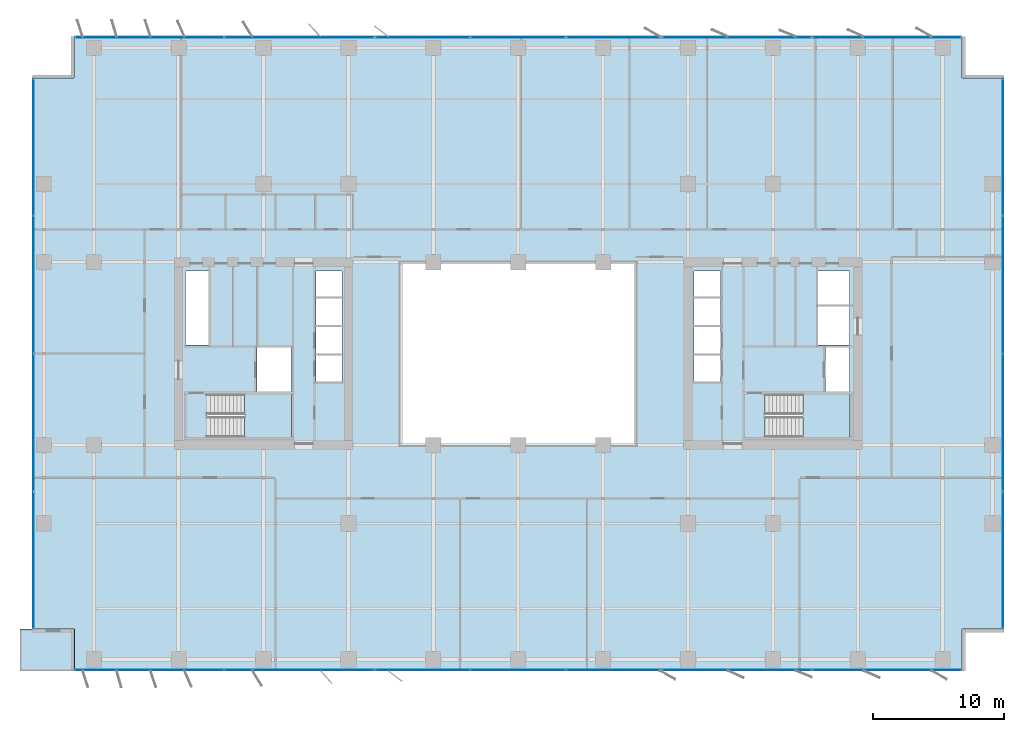
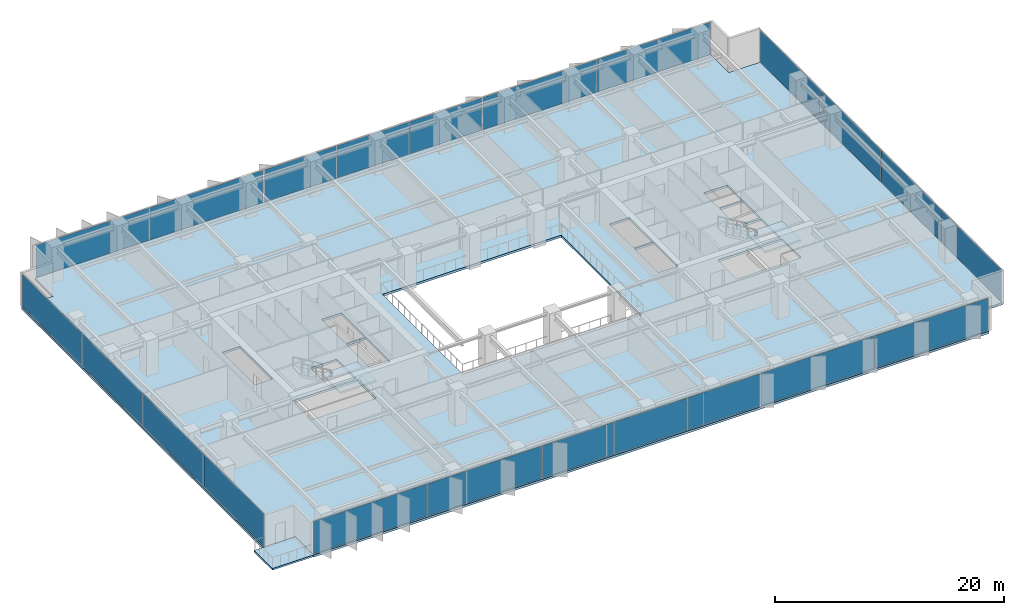
# One storey, part 12 of 20: 22 plates, 4 slabs, 10 elements without a shape of their own.
"""IFC4 building model written with IfcOpenShell, lengths in metres."""

from ifc_helpers import new_model, si_unit, direction, frame, origin, origin_2d, place, context, subcontext, project, spatial, polyline, rectangle, outline, extrude, material, layer, layer_set, type_object, element, aggregate, save


model = new_model("IFC4")

# Units and contexts
model_context = context("Model", 3, precision=1e-05, world=origin(), true_north=direction((0.0, 1.0)))
body_context = subcontext(model_context, "Body", "Model", "MODEL_VIEW")
ifc_project = project(units=[si_unit("LENGTHUNIT", "METRE"), si_unit("AREAUNIT", "SQUARE_METRE"), si_unit("VOLUMEUNIT", "CUBIC_METRE"), si_unit("PLANEANGLEUNIT", "RADIAN"), si_unit("MASSUNIT", "GRAM", prefix="KILO")], contexts=[model_context])

# Site, building, storey
site_placement = place(None, origin())
site = spatial("IfcSite", under=ifc_project, at=site_placement, CompositionType="ELEMENT")
building_placement = place(site_placement, origin())
building = spatial("IfcBuilding", under=site, at=building_placement, Name="Putna Gate Headquarters", CompositionType="ELEMENT")
storey_placement = place(building_placement, frame((0.0, 0.0, 105.0)))
storey = spatial("IfcBuildingStorey", under=building, at=storey_placement, Name="L25", CompositionType="ELEMENT", Elevation=105.0)

# Stair, slab
ifc_material_1 = material(Name="Concrete C40/50", Category="concrete")
stair_type_1 = type_object("IfcStairType", Name="STAIR-ST1", PredefinedType="HALF_TURN_STAIR", material=ifc_material_1)
stair_1_placement = place(storey_placement, origin())
stair_1 = element("IfcStair", 1, at=stair_1_placement, inside=storey, type_object=stair_type_1, Name="L25 West Core Exit Stair ST1", PredefinedType="HALF_TURN_STAIR")
ifc_layer_1 = layer(ifc_material_1, 0.199951171875)
ifc_layer_set_1 = layer_set([ifc_layer_1], Name="Concrete C40/50")
slab_type_1 = type_object("IfcSlabType", Name="LANDING-ST1", PredefinedType="LANDING", material=ifc_layer_set_1)
slab_1_placement = place(storey_placement, frame((0.0, 0.0, 1.699951171875)))
slab_1 = element("IfcSlab", 2, at=slab_1_placement, type_object=slab_type_1, Name="ST1 landing 1", PredefinedType="LANDING", context=body_context, shape_type="SweptSolid", body=[
    extrude(outline(polyline([(18.050048828125, 19.60009765625), (21.64990234375, 19.60009765625), (21.64990234375, 22.89990234375), (18.050048828125, 22.89990234375), (18.050048828125, 19.60009765625)])), origin(), (0.0, 0.0, 1.0), 0.199951171875),
])
aggregate(stair_1, [slab_1])

stair_type_2 = type_object("IfcStairType", Name="STAIR-ST2", PredefinedType="HALF_TURN_STAIR", material=ifc_material_1)
stair_2_placement = place(storey_placement, origin())
stair_2 = element("IfcStair", 3, at=stair_2_placement, inside=storey, type_object=stair_type_2, Name="L25 East Core Exit Stair ST2", PredefinedType="HALF_TURN_STAIR")
ifc_layer_2 = layer(ifc_material_1, 0.199951171875)
ifc_layer_set_2 = layer_set([ifc_layer_2], Name="Concrete C40/50")
slab_type_2 = type_object("IfcSlabType", Name="LANDING-ST2", PredefinedType="LANDING", material=ifc_layer_set_2)
slab_2_placement = place(storey_placement, frame((0.0, 0.0, 1.699951171875)))
slab_2 = element("IfcSlab", 4, at=slab_2_placement, type_object=slab_type_2, Name="ST2 landing 1", PredefinedType="LANDING", context=body_context, shape_type="SweptSolid", body=[
    extrude(outline(polyline([(60.800048828125, 19.60009765625), (64.39990234375, 19.60009765625), (64.39990234375, 22.89990234375), (60.800048828125, 22.89990234375), (60.800048828125, 19.60009765625)])), origin(), (0.0, 0.0, 1.0), 0.199951171875),
])
aggregate(stair_2, [slab_2])

# Curtain wall, plates
ifc_material_2 = material(Name="Anodised bronze aluminium curtain wall", Category="aluminium")
ifc_layer_3 = layer(ifc_material_2, 0.159912109375)
ifc_layer_set_3 = layer_set([ifc_layer_3], Name="Anodised bronze aluminium curtain wall")
curtain_wall_type_1 = type_object("IfcCurtainWallType", Name="CW-SYS-Z2", PredefinedType="USERDEFINED", material=ifc_layer_set_3)
curtain_wall_1_placement = place(storey_placement, origin())
curtain_wall_1 = element("IfcCurtainWall", 5, at=curtain_wall_1_placement, inside=storey, type_object=curtain_wall_type_1, Name="L25 South West Curtain Wall", ObjectType="STICK CURTAIN WALL", PredefinedType="USERDEFINED")
ifc_material_3 = material(Name="Solar-control triple low-E glass", Category="glass")
ifc_layer_4 = layer(ifc_material_3, 0.030029296875)
ifc_layer_set_4 = layer_set([ifc_layer_4], Name="Solar-control triple low-E glass")
plate_type_1 = type_object("IfcPlateType", Name="PAN-CWP-2", PredefinedType="CURTAIN_PANEL", material=ifc_layer_set_4)
plate_1_placement = place(storey_placement, frame((10.766357421875, 1.780029296875, 0.06494140625), z_axis=(0.0, 0.0, 1.0), x_axis=(1.0, 0.0, 0.0)))
plate_1 = element("IfcPlate", 6, at=plate_1_placement, type_object=plate_type_1, Name="CWS-2 panel 1.1", PredefinedType="CURTAIN_PANEL", context=body_context, shape_type="SweptSolid", body=[
    extrude(rectangle(XDim=11.402587890625, YDim=0.030029296875, at=origin_2d()), origin(), (0.0, 0.0, 1.0), 3.43505859375),
])
plate_2_placement = place(storey_placement, frame((22.233642578125, 1.780029296875, 0.06494140625), z_axis=(0.0, 0.0, 1.0), x_axis=(1.0, 0.0, 0.0)))
plate_2 = element("IfcPlate", 7, at=plate_2_placement, type_object=plate_type_1, Name="CWS-2 panel 2.1", PredefinedType="CURTAIN_PANEL", context=body_context, shape_type="SweptSolid", body=[
    extrude(rectangle(XDim=11.402587890625, YDim=0.030029296875, at=origin_2d()), origin(), (0.0, 0.0, 1.0), 3.43505859375),
])
aggregate(curtain_wall_1, [plate_1, plate_2])

curtain_wall_2_placement = place(storey_placement, origin())
curtain_wall_2 = element("IfcCurtainWall", 8, at=curtain_wall_2_placement, inside=storey, type_object=curtain_wall_type_1, Name="L25 South East Curtain Wall", ObjectType="STICK CURTAIN WALL", PredefinedType="USERDEFINED")
plate_3_placement = place(storey_placement, frame((55.766357421875, 1.780029296875, 0.06494140625), z_axis=(0.0, 0.0, 1.0), x_axis=(1.0, 0.0, 0.0)))
plate_3 = element("IfcPlate", 9, at=plate_3_placement, type_object=plate_type_1, Name="CWS-2 panel 1.1", PredefinedType="CURTAIN_PANEL", context=body_context, shape_type="SweptSolid", body=[
    extrude(rectangle(XDim=11.402587890625, YDim=0.030029296875, at=origin_2d()), origin(), (0.0, 0.0, 1.0), 3.43505859375),
])
plate_4_placement = place(storey_placement, frame((67.233642578125, 1.780029296875, 0.06494140625), z_axis=(0.0, 0.0, 1.0), x_axis=(1.0, 0.0, 0.0)))
plate_4 = element("IfcPlate", 10, at=plate_4_placement, type_object=plate_type_1, Name="CWS-2 panel 2.1", PredefinedType="CURTAIN_PANEL", context=body_context, shape_type="SweptSolid", body=[
    extrude(rectangle(XDim=11.402587890625, YDim=0.030029296875, at=origin_2d()), origin(), (0.0, 0.0, 1.0), 3.43505859375),
])
aggregate(curtain_wall_2, [plate_3, plate_4])

curtain_wall_3_placement = place(storey_placement, origin())
curtain_wall_3 = element("IfcCurtainWall", 11, at=curtain_wall_3_placement, inside=storey, type_object=curtain_wall_type_1, Name="L25 North West Curtain Wall", ObjectType="STICK CURTAIN WALL", PredefinedType="USERDEFINED")
plate_5_placement = place(storey_placement, frame((10.766357421875, 50.219970703125, 0.06494140625), z_axis=(0.0, 0.0, 1.0), x_axis=(1.0, 0.0, 0.0)))
plate_5 = element("IfcPlate", 12, at=plate_5_placement, type_object=plate_type_1, Name="CWS-2 panel 1.1", PredefinedType="CURTAIN_PANEL", context=body_context, shape_type="SweptSolid", body=[
    extrude(rectangle(XDim=11.402587890625, YDim=0.030029296875, at=origin_2d()), origin(), (0.0, 0.0, 1.0), 3.43505859375),
])
plate_6_placement = place(storey_placement, frame((22.233642578125, 50.219970703125, 0.06494140625), z_axis=(0.0, 0.0, 1.0), x_axis=(1.0, 0.0, 0.0)))
plate_6 = element("IfcPlate", 13, at=plate_6_placement, type_object=plate_type_1, Name="CWS-2 panel 2.1", PredefinedType="CURTAIN_PANEL", context=body_context, shape_type="SweptSolid", body=[
    extrude(rectangle(XDim=11.402587890625, YDim=0.030029296875, at=origin_2d()), origin(), (0.0, 0.0, 1.0), 3.43505859375),
])
aggregate(curtain_wall_3, [plate_5, plate_6])

curtain_wall_4_placement = place(storey_placement, origin())
curtain_wall_4 = element("IfcCurtainWall", 14, at=curtain_wall_4_placement, inside=storey, type_object=curtain_wall_type_1, Name="L25 North East Curtain Wall", ObjectType="STICK CURTAIN WALL", PredefinedType="USERDEFINED")
plate_7_placement = place(storey_placement, frame((55.766357421875, 50.219970703125, 0.06494140625), z_axis=(0.0, 0.0, 1.0), x_axis=(1.0, 0.0, 0.0)))
plate_7 = element("IfcPlate", 15, at=plate_7_placement, type_object=plate_type_1, Name="CWS-2 panel 1.1", PredefinedType="CURTAIN_PANEL", context=body_context, shape_type="SweptSolid", body=[
    extrude(rectangle(XDim=11.402587890625, YDim=0.030029296875, at=origin_2d()), origin(), (0.0, 0.0, 1.0), 3.43505859375),
])
plate_8_placement = place(storey_placement, frame((67.233642578125, 50.219970703125, 0.06494140625), z_axis=(0.0, 0.0, 1.0), x_axis=(1.0, 0.0, 0.0)))
plate_8 = element("IfcPlate", 16, at=plate_8_placement, type_object=plate_type_1, Name="CWS-2 panel 2.1", PredefinedType="CURTAIN_PANEL", context=body_context, shape_type="SweptSolid", body=[
    extrude(rectangle(XDim=11.402587890625, YDim=0.030029296875, at=origin_2d()), origin(), (0.0, 0.0, 1.0), 3.43505859375),
])
aggregate(curtain_wall_4, [plate_7, plate_8])

curtain_wall_5_placement = place(storey_placement, origin())
curtain_wall_5 = element("IfcCurtainWall", 17, at=curtain_wall_5_placement, inside=storey, type_object=curtain_wall_type_1, Name="L25 West Curtain Wall", ObjectType="STICK CURTAIN WALL", PredefinedType="USERDEFINED")
plate_9_placement = place(storey_placement, frame((1.8798828125, 10.191162109375, 0.06494140625), z_axis=(0.0, 0.0, 1.0), x_axis=(0.0, 1.0, 0.0)))
plate_9 = element("IfcPlate", 18, at=plate_9_placement, type_object=plate_type_1, Name="CWS-2 panel 1.1", PredefinedType="CURTAIN_PANEL", context=body_context, shape_type="SweptSolid", body=[
    extrude(rectangle(XDim=10.452392578125, YDim=0.030029296875, at=origin_2d()), origin(), (0.0, 0.0, 1.0), 3.43505859375),
])
plate_10_placement = place(storey_placement, frame((1.8798828125, 20.72509765625, 0.06494140625), z_axis=(0.0, 0.0, 1.0), x_axis=(0.0, 1.0, 0.0)))
plate_10 = element("IfcPlate", 19, at=plate_10_placement, type_object=plate_type_1, Name="CWS-2 panel 2.1", PredefinedType="CURTAIN_PANEL", context=body_context, shape_type="SweptSolid", body=[
    extrude(rectangle(XDim=10.485107421875, YDim=0.030029296875, at=origin_2d()), origin(), (0.0, 0.0, 1.0), 3.43505859375),
])
plate_11_placement = place(storey_placement, frame((1.8798828125, 31.27490234375, 0.06494140625), z_axis=(0.0, 0.0, 1.0), x_axis=(0.0, 1.0, 0.0)))
plate_11 = element("IfcPlate", 20, at=plate_11_placement, type_object=plate_type_1, Name="CWS-2 panel 3.1", PredefinedType="CURTAIN_PANEL", context=body_context, shape_type="SweptSolid", body=[
    extrude(rectangle(XDim=10.485107421875, YDim=0.030029296875, at=origin_2d()), origin(), (0.0, 0.0, 1.0), 3.43505859375),
])
plate_12_placement = place(storey_placement, frame((1.8798828125, 41.808837890625, 0.06494140625), z_axis=(0.0, 0.0, 1.0), x_axis=(0.0, 1.0, 0.0)))
plate_12 = element("IfcPlate", 21, at=plate_12_placement, type_object=plate_type_1, Name="CWS-2 panel 4.1", PredefinedType="CURTAIN_PANEL", context=body_context, shape_type="SweptSolid", body=[
    extrude(rectangle(XDim=10.452392578125, YDim=0.030029296875, at=origin_2d()), origin(), (0.0, 0.0, 1.0), 3.43505859375),
])
aggregate(curtain_wall_5, [plate_9, plate_10, plate_11, plate_12])

curtain_wall_6_placement = place(storey_placement, origin())
curtain_wall_6 = element("IfcCurtainWall", 22, at=curtain_wall_6_placement, inside=storey, type_object=curtain_wall_type_1, Name="L25 East Curtain Wall", ObjectType="STICK CURTAIN WALL", PredefinedType="USERDEFINED")
plate_13_placement = place(storey_placement, frame((76.1201171875, 10.191162109375, 0.06494140625), z_axis=(0.0, 0.0, 1.0), x_axis=(0.0, 1.0, 0.0)))
plate_13 = element("IfcPlate", 23, at=plate_13_placement, type_object=plate_type_1, Name="CWS-2 panel 1.1", PredefinedType="CURTAIN_PANEL", context=body_context, shape_type="SweptSolid", body=[
    extrude(rectangle(XDim=10.452392578125, YDim=0.030029296875, at=origin_2d()), origin(), (0.0, 0.0, 1.0), 3.43505859375),
])
plate_14_placement = place(storey_placement, frame((76.1201171875, 20.72509765625, 0.06494140625), z_axis=(0.0, 0.0, 1.0), x_axis=(0.0, 1.0, 0.0)))
plate_14 = element("IfcPlate", 24, at=plate_14_placement, type_object=plate_type_1, Name="CWS-2 panel 2.1", PredefinedType="CURTAIN_PANEL", context=body_context, shape_type="SweptSolid", body=[
    extrude(rectangle(XDim=10.485107421875, YDim=0.030029296875, at=origin_2d()), origin(), (0.0, 0.0, 1.0), 3.43505859375),
])
plate_15_placement = place(storey_placement, frame((76.1201171875, 31.27490234375, 0.06494140625), z_axis=(0.0, 0.0, 1.0), x_axis=(0.0, 1.0, 0.0)))
plate_15 = element("IfcPlate", 25, at=plate_15_placement, type_object=plate_type_1, Name="CWS-2 panel 3.1", PredefinedType="CURTAIN_PANEL", context=body_context, shape_type="SweptSolid", body=[
    extrude(rectangle(XDim=10.485107421875, YDim=0.030029296875, at=origin_2d()), origin(), (0.0, 0.0, 1.0), 3.43505859375),
])
plate_16_placement = place(storey_placement, frame((76.1201171875, 41.808837890625, 0.06494140625), z_axis=(0.0, 0.0, 1.0), x_axis=(0.0, 1.0, 0.0)))
plate_16 = element("IfcPlate", 26, at=plate_16_placement, type_object=plate_type_1, Name="CWS-2 panel 4.1", PredefinedType="CURTAIN_PANEL", context=body_context, shape_type="SweptSolid", body=[
    extrude(rectangle(XDim=10.452392578125, YDim=0.030029296875, at=origin_2d()), origin(), (0.0, 0.0, 1.0), 3.43505859375),
])
aggregate(curtain_wall_6, [plate_13, plate_14, plate_15, plate_16])

ifc_layer_5 = layer(ifc_material_2, 0.179931640625)
ifc_layer_set_5 = layer_set([ifc_layer_5], Name="Anodised bronze aluminium curtain wall")
curtain_wall_type_2 = type_object("IfcCurtainWallType", Name="CW-SYS-ATR", PredefinedType="USERDEFINED", material=ifc_layer_set_5)
curtain_wall_7_placement = place(storey_placement, origin())
curtain_wall_7 = element("IfcCurtainWall", 27, at=curtain_wall_7_placement, inside=storey, type_object=curtain_wall_type_2, Name="L25 South Atrium Clear Glazing", ObjectType="ATRIUM GLAZING", PredefinedType="USERDEFINED")
ifc_material_4 = material(Name="Clear low-iron triple glazing", Category="glass")
ifc_layer_6 = layer(ifc_material_4, 0.0400390625)
ifc_layer_set_6 = layer_set([ifc_layer_6], Name="Clear low-iron triple glazing")
plate_type_2 = type_object("IfcPlateType", Name="PAN-CWP-AT", PredefinedType="CURTAIN_PANEL", material=ifc_layer_set_6)
plate_17_placement = place(storey_placement, frame((31.68408203125, 1.780029296875, 0.06982421875), z_axis=(0.0, 0.0, 1.0), x_axis=(1.0, 0.0, 0.0)))
plate_17 = element("IfcPlate", 28, at=plate_17_placement, type_object=plate_type_2, Name="CWS-AT panel 1.1", PredefinedType="CURTAIN_PANEL", context=body_context, shape_type="SweptSolid", body=[
    extrude(rectangle(XDim=7.228271484375, YDim=0.0400390625, at=origin_2d()), origin(), (0.0, 0.0, 1.0), 3.425048828125),
])
plate_18_placement = place(storey_placement, frame((39.0, 1.780029296875, 0.06982421875), z_axis=(0.0, 0.0, 1.0), x_axis=(1.0, 0.0, 0.0)))
plate_18 = element("IfcPlate", 29, at=plate_18_placement, type_object=plate_type_2, Name="CWS-AT panel 2.1", PredefinedType="CURTAIN_PANEL", context=body_context, shape_type="SweptSolid", body=[
    extrude(rectangle(XDim=7.263427734375, YDim=0.0400390625, at=origin_2d()), origin(), (0.0, 0.0, 1.0), 3.425048828125),
])
plate_19_placement = place(storey_placement, frame((46.31591796875, 1.780029296875, 0.06982421875), z_axis=(0.0, 0.0, 1.0), x_axis=(1.0, 0.0, 0.0)))
plate_19 = element("IfcPlate", 30, at=plate_19_placement, type_object=plate_type_2, Name="CWS-AT panel 3.1", PredefinedType="CURTAIN_PANEL", context=body_context, shape_type="SweptSolid", body=[
    extrude(rectangle(XDim=7.228271484375, YDim=0.0400390625, at=origin_2d()), origin(), (0.0, 0.0, 1.0), 3.425048828125),
])
aggregate(curtain_wall_7, [plate_17, plate_18, plate_19])

curtain_wall_8_placement = place(storey_placement, origin())
curtain_wall_8 = element("IfcCurtainWall", 31, at=curtain_wall_8_placement, inside=storey, type_object=curtain_wall_type_2, Name="L25 North Atrium Clear Glazing", ObjectType="ATRIUM GLAZING", PredefinedType="USERDEFINED")
plate_20_placement = place(storey_placement, frame((31.68408203125, 50.219970703125, 0.06982421875), z_axis=(0.0, 0.0, 1.0), x_axis=(1.0, 0.0, 0.0)))
plate_20 = element("IfcPlate", 32, at=plate_20_placement, type_object=plate_type_2, Name="CWS-AT panel 1.1", PredefinedType="CURTAIN_PANEL", context=body_context, shape_type="SweptSolid", body=[
    extrude(rectangle(XDim=7.228271484375, YDim=0.0400390625, at=origin_2d()), origin(), (0.0, 0.0, 1.0), 3.425048828125),
])
plate_21_placement = place(storey_placement, frame((39.0, 50.219970703125, 0.06982421875), z_axis=(0.0, 0.0, 1.0), x_axis=(1.0, 0.0, 0.0)))
plate_21 = element("IfcPlate", 33, at=plate_21_placement, type_object=plate_type_2, Name="CWS-AT panel 2.1", PredefinedType="CURTAIN_PANEL", context=body_context, shape_type="SweptSolid", body=[
    extrude(rectangle(XDim=7.263427734375, YDim=0.0400390625, at=origin_2d()), origin(), (0.0, 0.0, 1.0), 3.425048828125),
])
plate_22_placement = place(storey_placement, frame((46.31591796875, 50.219970703125, 0.06982421875), z_axis=(0.0, 0.0, 1.0), x_axis=(1.0, 0.0, 0.0)))
plate_22 = element("IfcPlate", 34, at=plate_22_placement, type_object=plate_type_2, Name="CWS-AT panel 3.1", PredefinedType="CURTAIN_PANEL", context=body_context, shape_type="SweptSolid", body=[
    extrude(rectangle(XDim=7.228271484375, YDim=0.0400390625, at=origin_2d()), origin(), (0.0, 0.0, 1.0), 3.425048828125),
])
aggregate(curtain_wall_8, [plate_20, plate_21, plate_22])

# Slabs
ifc_layer_7 = layer(ifc_material_1, 0.179931640625)
ifc_layer_set_7 = layer_set([ifc_layer_7], Name="Concrete C40/50")
slab_type_3 = type_object("IfcSlabType", Name="SLAB-TERRACE-180", PredefinedType="FLOOR", material=ifc_layer_set_7)
slab_3_placement = place(storey_placement, frame((0.0, 0.0, -0.179931640625)))
element("IfcSlab", 35, at=slab_3_placement, inside=storey, type_object=slab_type_3, Name="L25 Spiral Sky-Garden Terrace Slab (SW)", PredefinedType="FLOOR", context=body_context, shape_type="SweptSolid", body=[
    extrude(outline(polyline([(0.85009765625, 1.699951171875), (5.008056640625, 1.699951171875), (5.008056640625, 4.907958984375), (0.85009765625, 4.907958984375), (0.85009765625, 1.699951171875)])), origin(), (0.0, 0.0, 1.0), 0.179931640625),
])
ifc_layer_8 = layer(ifc_material_1, 0.235107421875)
ifc_layer_set_8 = layer_set([ifc_layer_8], Name="Concrete C40/50")
slab_type_4 = type_object("IfcSlabType", Name="SLAB-Z2-235", PredefinedType="FLOOR", material=ifc_layer_set_8)
slab_4_placement = place(storey_placement, frame((0.0, 0.0, -0.235107421875)))
element("IfcSlab", 36, at=slab_4_placement, inside=storey, type_object=slab_type_4, Name="L25 Composite Floor Slab", PredefinedType="FLOOR", context=body_context, shape_type="SweptSolid", body=[
    extrude(outline(polyline([(5.0, 1.699951171875), (73.0, 1.699951171875), (73.0, 4.89990234375), (76.199951171875, 4.89990234375), (76.199951171875, 47.10009765625), (73.0, 47.10009765625), (73.0, 50.300048828125), (5.0, 50.300048828125), (5.0, 47.10009765625), (1.800048828125, 47.10009765625), (1.800048828125, 4.89990234375), (5.0, 4.89990234375), (5.0, 1.699951171875)]), holes=[polyline([(15.1650390625, 19.60009765625), (21.64990234375, 19.60009765625), (21.64990234375, 22.89990234375), (15.1650390625, 22.89990234375), (15.1650390625, 19.60009765625)]), polyline([(57.9150390625, 19.60009765625), (64.39990234375, 19.60009765625), (64.39990234375, 22.89990234375), (57.9150390625, 22.89990234375), (57.9150390625, 19.60009765625)]), polyline([(13.52001953125, 26.659912109375), (15.280029296875, 26.659912109375), (15.280029296875, 32.35009765625), (13.52001953125, 32.35009765625), (13.52001953125, 26.659912109375)]), polyline([(61.969970703125, 29.780029296875), (64.35009765625, 29.780029296875), (64.35009765625, 32.35009765625), (61.969970703125, 32.35009765625), (61.969970703125, 29.780029296875)]), polyline([(18.97998046875, 23.1201171875), (21.6201171875, 23.1201171875), (21.6201171875, 26.4599609375), (18.97998046875, 26.4599609375), (18.97998046875, 23.1201171875)]), polyline([(62.52001953125, 23.1201171875), (64.35009765625, 23.1201171875), (64.35009765625, 26.4599609375), (62.52001953125, 26.4599609375), (62.52001953125, 23.1201171875)]), polyline([(61.969970703125, 26.659912109375), (64.35009765625, 26.659912109375), (64.35009765625, 29.6201171875), (61.969970703125, 29.6201171875), (61.969970703125, 26.659912109375)]), polyline([(23.5, 23.860107421875), (25.5, 23.860107421875), (25.5, 28.0400390625), (23.5, 28.0400390625), (23.5, 23.860107421875)]), polyline([(52.47998046875, 23.860107421875), (54.5, 23.860107421875), (54.5, 28.0400390625), (52.47998046875, 28.0400390625), (52.47998046875, 23.860107421875)]), polyline([(23.5, 28.199951171875), (25.5, 28.199951171875), (25.5, 32.35009765625), (23.5, 32.35009765625), (23.5, 28.199951171875)]), polyline([(52.47998046875, 28.199951171875), (54.5, 28.199951171875), (54.5, 32.35009765625), (52.47998046875, 32.35009765625), (52.47998046875, 28.199951171875)]), polyline([(30.0, 19.0), (48.0, 19.0), (48.0, 33.0), (30.0, 33.0), (30.0, 19.0)])]), origin(), (0.0, 0.0, 1.0), 0.235107421875),
])

save(model, "model.ifc")
